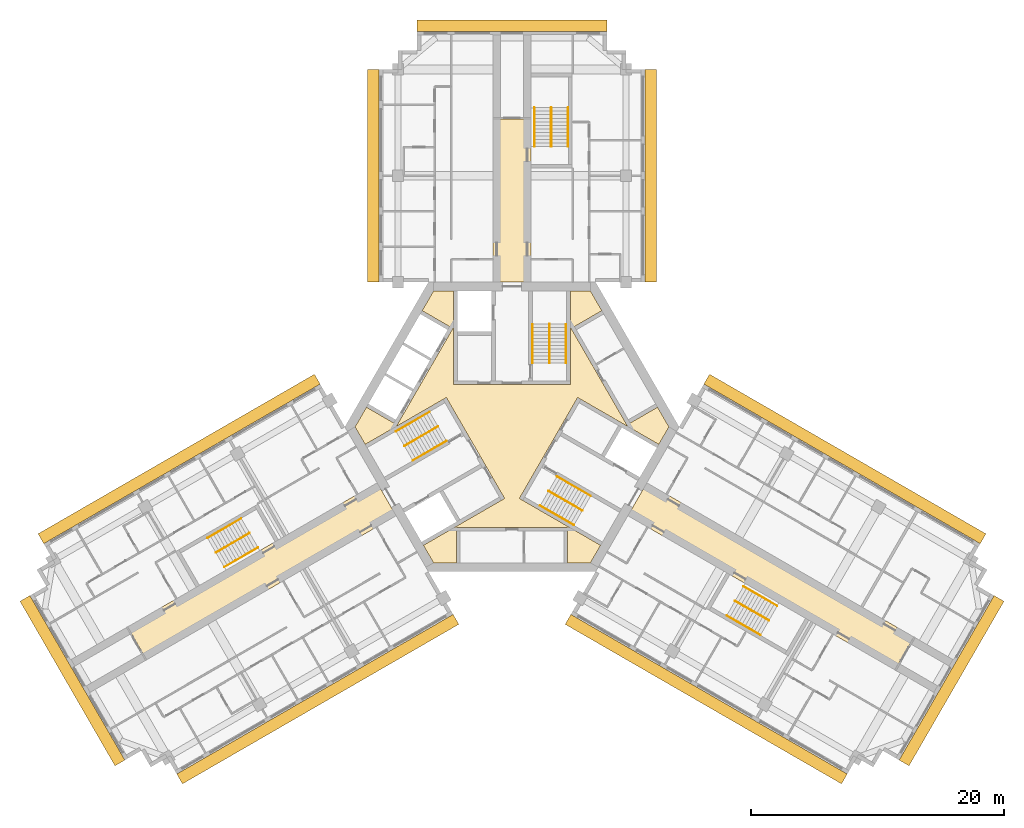
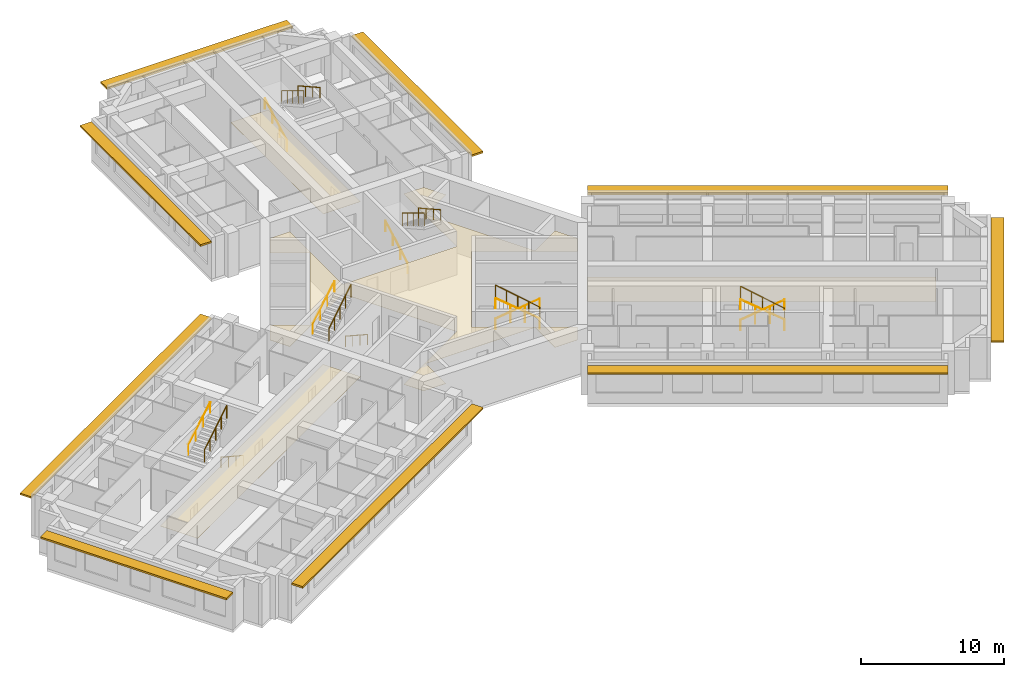
# One storey, part 12 of 12: 18 railings, 4 coverings, 3 shading devices.
"""IFC4 building model written with IfcOpenShell, lengths in metres."""

import ifcopenshell
import ifcopenshell.guid

model = None  # the IFC model being written
_history = None  # IfcOwnerHistory: only IFC2X3 demands one
_inside = {}  # id of a spatial element -> (the spatial element, [elements in it])
_under = {}  # id of a project, library or spatial element -> (it, [spatial elements below it])
_declared = {}  # id of a project -> (the project, [libraries it declares])
_typed = {}  # id of a type object -> (the type object, [elements of that type])
_made_of = {}  # id of a material, layer set ... -> (it, [elements and type objects made of it])


def new_model(schema):
    """Start an empty IFC model of exactly this schema.

    Asked for "IFC4X3", IfcOpenShell would pick the latest addendum, in which some entities
    have other attributes; the version numbers below select the first issue.
    IFC2X3 requires an IfcOwnerHistory on every rooted entity: one is made here for all.
    """
    global model, _history
    if schema == "IFC4X3":
        model = ifcopenshell.file(schema_version=(4, 3, 0, 0))
    else:
        model = ifcopenshell.file(schema=schema)
    _inside.clear()
    _under.clear()
    _declared.clear()
    _typed.clear()
    _made_of.clear()
    _history = None
    if model.schema == "IFC2X3":
        org = make("IfcOrganization", Name="unknown")
        user = make(
            "IfcPersonAndOrganization",
            ThePerson=make("IfcPerson", FamilyName="unknown"),
            TheOrganization=org,
        )
        app = make(
            "IfcApplication",
            ApplicationDeveloper=org,
            Version="unknown",
            ApplicationFullName="unknown",
            ApplicationIdentifier="unknown",
        )
        _history = make(
            "IfcOwnerHistory",
            OwningUser=user,
            OwningApplication=app,
            ChangeAction="ADDED",
            CreationDate=0,
        )
    return model


def make(cls, **values):
    """One entity of the class cls with the attributes given. An attribute that is None is left unset."""
    return model.create_entity(
        cls, **{name: value for name, value in values.items() if value is not None}
    )


def rooted(cls, **values):
    """An entity with a GlobalId (a new one), such as an element, a storey or a relation."""
    return make(cls, GlobalId=ifcopenshell.guid.new(), OwnerHistory=_history, **values)


def si_unit(unit_type, name, prefix=None):
    """IfcSIUnit, for example si_unit("LENGTHUNIT", "METRE", prefix="MILLI")."""
    return make("IfcSIUnit", UnitType=unit_type, Prefix=prefix, Name=name)


def assignment(units):
    """IfcUnitAssignment: the units of a project."""
    return None if units is None else make("IfcUnitAssignment", Units=units)


def point(xyz):
    """IfcCartesianPoint."""
    return None if xyz is None else make("IfcCartesianPoint", Coordinates=xyz)


def direction(xyz):
    """IfcDirection."""
    return None if xyz is None else make("IfcDirection", DirectionRatios=xyz)


def frame(location, z_axis=None, x_axis=None):
    """IfcAxis2Placement3D, a coordinate frame: its origin and axes. An axis left out is left unset."""
    return make(
        "IfcAxis2Placement3D",
        Location=point(location),
        Axis=direction(z_axis),
        RefDirection=direction(x_axis),
    )


def frame_2d(location, x_axis=None):
    """IfcAxis2Placement2D, a coordinate frame in the plane: its origin and x axis."""
    return make(
        "IfcAxis2Placement2D", Location=point(location), RefDirection=direction(x_axis)
    )


def origin():
    """The frame at (0, 0, 0) with its axes left unset."""
    return frame((0.0, 0.0, 0.0))


def origin_2d():
    """The frame at (0, 0) in the plane with its x axis left unset."""
    return frame_2d((0.0, 0.0))


def place(relative_to, where):
    """IfcLocalPlacement: puts the frame where relative to a parent placement (None: the world)."""
    return make(
        "IfcLocalPlacement", PlacementRelTo=relative_to, RelativePlacement=where
    )


def context(
    kind, dimensions, precision=None, world=None, true_north=None, identifier=None
):
    """IfcGeometricRepresentationContext, for example the 3D "Model" context."""
    return make(
        "IfcGeometricRepresentationContext",
        ContextIdentifier=identifier,
        ContextType=kind,
        CoordinateSpaceDimension=dimensions,
        Precision=precision,
        WorldCoordinateSystem=world,
        TrueNorth=true_north,
    )


def subcontext(parent, identifier, kind, view, scale=None):
    """IfcGeometricRepresentationSubContext, for example "Body" below "Model"."""
    return make(
        "IfcGeometricRepresentationSubContext",
        ContextIdentifier=identifier,
        ContextType=kind,
        ParentContext=parent,
        TargetScale=scale,
        TargetView=view,
    )


def project(units=None, contexts=None):
    """IfcProject with its units and contexts."""
    return rooted(
        "IfcProject",
        Name="project",
        RepresentationContexts=contexts,
        UnitsInContext=assignment(units),
    )


def spatial(cls, under=None, at=None, **own):
    """A site, building, storey or space (cls), placed at a placement, below another one or the project."""
    s = rooted(cls, ObjectPlacement=at, **own)
    if under is not None:
        _under.setdefault(under.id(), (under, []))[1].append(s)
    return s


def polyline(points):
    """IfcPolyline through the points."""
    return make("IfcPolyline", Points=[point(p) for p in points])


def profile(cls, at=None, kind="AREA", **sizes):
    """A parametric profile (cls). Its sizes go by their IFC names, for example OverallWidth=200.0."""
    return make(cls, ProfileType=kind, Position=at, **sizes)


def rectangle(**sizes):
    """IfcRectangleProfileDef."""
    return profile("IfcRectangleProfileDef", **sizes)


def circle(**sizes):
    """IfcCircleProfileDef."""
    return profile("IfcCircleProfileDef", **sizes)


def outline(outer, holes=None, kind="AREA"):
    """IfcArbitraryClosedProfileDef: a profile drawn as a closed curve; with holes, ...WithVoids."""
    if holes is None:
        return make("IfcArbitraryClosedProfileDef", ProfileType=kind, OuterCurve=outer)
    return make(
        "IfcArbitraryProfileDefWithVoids",
        ProfileType=kind,
        OuterCurve=outer,
        InnerCurves=holes,
    )


def extrude(swept, where, along, depth):
    """IfcExtrudedAreaSolid: the profile swept, set in the frame where, extruded along a direction by depth."""
    return make(
        "IfcExtrudedAreaSolid",
        SweptArea=swept,
        Position=where,
        ExtrudedDirection=direction(along),
        Depth=depth,
    )


def shape(context_of_items, identifier, shape_type, items):
    """IfcShapeRepresentation: the items that make up one representation, for example the "Body"."""
    return make(
        "IfcShapeRepresentation",
        ContextOfItems=context_of_items,
        RepresentationIdentifier=identifier,
        RepresentationType=shape_type,
        Items=items,
    )


def material(Name=None, Category=None):
    """IfcMaterial."""
    return make("IfcMaterial", Name=Name, Category=Category)


def layer(
    of_material, thickness, ventilated=None, Name=None, Category=None, Priority=None
):
    """IfcMaterialLayer: one layer of a wall or slab, of a material (None: an air gap)."""
    return make(
        "IfcMaterialLayer",
        Material=of_material,
        LayerThickness=thickness,
        IsVentilated=ventilated,
        Name=Name,
        Category=Category,
        Priority=Priority,
    )


def layer_set(layers, Name=None):
    """IfcMaterialLayerSet."""
    return make("IfcMaterialLayerSet", MaterialLayers=layers, LayerSetName=Name)


def made_of(thing, what):
    """Note that an element or type object is made of a material, layer set ...; save() writes the relation."""
    if what is not None:
        _made_of.setdefault(what.id(), (what, []))[1].append(thing)
    return thing


def type_object(cls, material=None, **own):
    """A type object (cls), such as IfcWallType, which elements share."""
    return made_of(rooted(cls, **own), material)


def element(
    cls,
    number,
    at=None,
    inside=None,
    cuts=None,
    type_object=None,
    material=None,
    context=None,
    identifier="Body",
    shape_type=None,
    held_by="IfcProductDefinitionShape",
    body=None,
    shapes=None,
    **own,
):
    """One element of the class cls, such as IfcWall. Its Tag is "e" and its number.

    at: its placement. inside: the storey or other place that contains it. cuts: it is an
    opening in that element (IfcRelVoidsElement). A single representation is given by context,
    identifier, shape_type and body (its items); several are given by shapes. held_by: the class
    of the entity that holds the representations. save() writes the other relations.
    """
    e = rooted(cls, Tag="e%d" % number, ObjectPlacement=at, **own)
    if body is not None:
        shapes = [shape(context, identifier, shape_type, body)]
    if shapes is not None:
        e.Representation = make(held_by, Representations=shapes)
    if inside is not None:
        _inside.setdefault(inside.id(), (inside, []))[1].append(e)
    if cuts is not None:
        rooted(
            "IfcRelVoidsElement", RelatingBuildingElement=cuts, RelatedOpeningElement=e
        )
    if type_object is not None:
        _typed.setdefault(type_object.id(), (type_object, []))[1].append(e)
    return made_of(e, material)


def aggregate(whole, parts):
    """IfcRelAggregates: a whole, such as a stair, and the parts it consists of."""
    return rooted("IfcRelAggregates", RelatingObject=whole, RelatedObjects=parts)


def save(model, path):
    """Write the relations noted so far, then the file.

    IfcRelAggregates (storeys below a building ...), IfcRelContainedInSpatialStructure (elements
    in a storey), IfcRelDefinesByType, IfcRelAssociatesMaterial and IfcRelDeclares: one each for
    every whole, place, type object, material and project.
    """
    for whole, parts in _under.values():
        aggregate(whole, parts)
    for where, things in _inside.values():
        rooted(
            "IfcRelContainedInSpatialStructure",
            RelatedElements=things,
            RelatingStructure=where,
        )
    for kind, things in _typed.values():
        rooted("IfcRelDefinesByType", RelatedObjects=things, RelatingType=kind)
    for what, things in _made_of.values():
        rooted("IfcRelAssociatesMaterial", RelatedObjects=things, RelatingMaterial=what)
    for by, libraries in _declared.values():
        rooted("IfcRelDeclares", RelatingContext=by, RelatedDefinitions=libraries)
    model.write(path)


model = new_model("IFC4")

# Units and contexts
model_context = context("Model", 3, precision=1e-05, world=origin(), true_north=direction((0.0, 1.0)))
body_context = subcontext(model_context, "Body", "Model", "MODEL_VIEW")
ifc_project = project(units=[si_unit("LENGTHUNIT", "METRE"), si_unit("AREAUNIT", "SQUARE_METRE"), si_unit("VOLUMEUNIT", "CUBIC_METRE"), si_unit("PLANEANGLEUNIT", "RADIAN"), si_unit("MASSUNIT", "GRAM", prefix="KILO")], contexts=[model_context])

# Site, building, storey
site_placement = place(None, origin())
site = spatial("IfcSite", under=ifc_project, at=site_placement, CompositionType="ELEMENT")
building_placement = place(site_placement, origin())
building = spatial("IfcBuilding", under=site, at=building_placement, Name="Impinga Residences", CompositionType="ELEMENT")
storey_placement = place(building_placement, frame((0.0, 0.0, 211.0)))
storey = spatial("IfcBuildingStorey", under=building, at=storey_placement, Name="L52", CompositionType="ELEMENT", Elevation=211.0)

# Coverings
ifc_material_1 = material(Name="Plasterboard 15 mm on steel hangers", Category="steel")
ifc_layer_1 = layer(ifc_material_1, 0.014892578125)
ifc_layer_set_1 = layer_set([ifc_layer_1], Name="Plasterboard 15 mm on steel hangers")
covering_type_1 = type_object("IfcCoveringType", Name="CL1 corridor ceiling, 15 mm plasterboard on hangers", PredefinedType="CEILING", material=ifc_layer_set_1)
covering_1_placement = place(storey_placement, frame((0.0, 0.0, 2.39990234375)))
element("IfcCovering", 1, at=covering_1_placement, inside=storey, type_object=covering_type_1, Name="Corridor ceiling CL1 L52-N00", PredefinedType="CEILING", context=body_context, shape_type="SweptSolid", body=[
    extrude(outline(polyline([(-1.5, 11.431640625), (1.5, 11.431640625), (1.5, 24.33154296875), (-1.5, 24.33154296875), (-1.5, 11.431640625)])), origin(), (0.0, 0.0, 1.0), 0.01513671875),
])
covering_2_placement = place(storey_placement, frame((0.0, 0.0, 2.39990234375)))
element("IfcCovering", 2, at=covering_2_placement, inside=storey, type_object=covering_type_1, Name="Corridor ceiling CL1 L52-W00", PredefinedType="CEILING", context=body_context, shape_type="SweptSolid", body=[
    extrude(outline(polyline([(-9.14990234375, -7.014892578125), (-10.64990234375, -4.416748046875), (-30.35205078125, -15.791748046875), (-28.85205078125, -18.389892578125), (-9.14990234375, -7.014892578125)])), origin(), (0.0, 0.0, 1.0), 0.01513671875),
])
covering_3_placement = place(storey_placement, frame((0.0, 0.0, 2.39990234375)))
element("IfcCovering", 3, at=covering_3_placement, inside=storey, type_object=covering_type_1, Name="Corridor ceiling CL1 L52-E00", PredefinedType="CEILING", context=body_context, shape_type="SweptSolid", body=[
    extrude(outline(polyline([(10.64990234375, -4.416748046875), (9.14990234375, -7.014892578125), (30.23779296875, -19.189697265625), (31.73779296875, -16.591796875), (10.64990234375, -4.416748046875)])), origin(), (0.0, 0.0, 1.0), 0.01513671875),
])
ifc_material_2 = material(Name="Mineral fibre tiles 20 mm on exposed grid", Category="mineral fibre")
ifc_layer_2 = layer(ifc_material_2, 0.02001953125)
ifc_layer_set_2 = layer_set([ifc_layer_2], Name="CL2 lift lobby ceiling, 20 mm mineral fibre tiles")
covering_type_2 = type_object("IfcCoveringType", Name="CL2 lift lobby ceiling, 20 mm mineral fibre tiles", PredefinedType="CEILING", material=ifc_layer_set_2)
covering_4_placement = place(storey_placement, frame((0.0, 0.0, 2.39990234375)))
element("IfcCovering", 4, at=covering_4_placement, inside=storey, type_object=covering_type_2, Name="Lift lobby ceiling CL2 L52-C01", PredefinedType="CEILING", context=body_context, shape_type="SweptSolid", body=[
    extrude(outline(polyline([(12.3916015625, 0.0), (11.59375, -1.382080078125), (5.183837890625, 2.318603515625), (0.583984375, -5.648681640625), (6.993896484375, -9.349365234375), (6.19580078125, -10.7314453125), (4.39990234375, -10.7314453125), (4.39990234375, -7.931640625), (-4.39990234375, -7.931640625), (-4.39990234375, -10.7314453125), (-6.19580078125, -10.7314453125), (-6.993896484375, -9.349365234375), (-0.583984375, -5.648681640625), (-5.183837890625, 2.318603515625), (-11.59375, -1.382080078125), (-12.3916015625, 0.0), (-11.493896484375, 1.55517578125), (-9.06884765625, 0.1552734375), (-4.6689453125, 7.7763671875), (-7.09375, 9.17626953125), (-6.19580078125, 10.7314453125), (-4.60009765625, 10.7314453125), (-4.60009765625, 3.330078125), (4.60009765625, 3.330078125), (4.60009765625, 10.7314453125), (6.19580078125, 10.7314453125), (7.09375, 9.17626953125), (4.6689453125, 7.7763671875), (9.06884765625, 0.1552734375), (11.493896484375, 1.55517578125), (12.3916015625, 0.0)])), origin(), (0.0, 0.0, 1.0), 0.02001953125),
])

# Railings
ifc_material_3 = material(Name="Steel guard, powder coated", Category="steel")
railing_type_1 = type_object("IfcRailingType", Name="GR1 stair guard 1100", PredefinedType="GUARDRAIL", material=ifc_material_3)
railing_1_placement = place(storey_placement, frame((2.949951171875, 8.110107421875, 1.875)))
element("IfcRailing", 5, at=railing_1_placement, inside=storey, type_object=railing_type_1, Name="Stair guard GR1 ST1 L52", PredefinedType="GUARDRAIL", context=body_context, shape_type="SweptSolid", body=[
    extrude(circle(Radius=0.02392578125, at=origin_2d()), frame((0.0, 0.0, 1.076171875), z_axis=(0.0, -0.854177636135, 0.519981313056), x_axis=(1.0, 0.0, 0.0)), (0.0, 0.0, 1.0), 3.60595703125),
    extrude(circle(Radius=0.02099609375, at=origin_2d()), origin(), (0.0, 0.0, 1.0), 1.052001953125),
    extrude(circle(Radius=0.02099609375, at=origin_2d()), frame((0.0, -0.77001953125, 0.46875)), (0.0, 0.0, 1.0), 1.052001953125),
    extrude(circle(Radius=0.02099609375, at=origin_2d()), frame((0.0, -1.5400390625, 0.9375)), (0.0, 0.0, 1.0), 1.052001953125),
    extrude(circle(Radius=0.02099609375, at=origin_2d()), frame((0.0, -2.31005859375, 1.40625)), (0.0, 0.0, 1.0), 1.052001953125),
    extrude(circle(Radius=0.02099609375, at=origin_2d()), frame((0.0, -3.080078125, 1.875)), (0.0, 0.0, 1.0), 1.052001953125),
])
railing_2_placement = place(storey_placement, frame((-8.49853515625, -1.500244140625, 1.875)))
element("IfcRailing", 6, at=railing_2_placement, inside=storey, type_object=railing_type_1, Name="Stair guard GR1 ST2 L52", PredefinedType="GUARDRAIL", context=body_context, shape_type="SweptSolid", body=[
    extrude(circle(Radius=0.02392578125, at=origin_2d()), frame((0.0, 0.0, 1.076171875), z_axis=(0.739746383972, 0.427084037168, 0.519975492303), x_axis=(-0.499992328818, 0.866029832698, 0.0)), (0.0, 0.0, 1.0), 3.60595703125),
    extrude(circle(Radius=0.02099609375, at=origin_2d()), origin(), (0.0, 0.0, 1.0), 1.052001953125),
    extrude(circle(Radius=0.02099609375, at=origin_2d()), frame((0.6669921875, 0.385009765625, 0.46875)), (0.0, 0.0, 1.0), 1.052001953125),
    extrude(circle(Radius=0.02099609375, at=origin_2d()), frame((1.333740234375, 0.77001953125, 0.9375)), (0.0, 0.0, 1.0), 1.052001953125),
    extrude(circle(Radius=0.02099609375, at=origin_2d()), frame((2.00048828125, 1.155029296875, 1.40625)), (0.0, 0.0, 1.0), 1.052001953125),
    extrude(circle(Radius=0.02099609375, at=origin_2d()), frame((2.66748046875, 1.5400390625, 1.875)), (0.0, 0.0, 1.0), 1.052001953125),
])
railing_3_placement = place(storey_placement, frame((5.548583984375, -6.60986328125, 1.875)))
element("IfcRailing", 7, at=railing_3_placement, inside=storey, type_object=railing_type_1, Name="Stair guard GR1 ST3 L52", PredefinedType="GUARDRAIL", context=body_context, shape_type="SweptSolid", body=[
    extrude(circle(Radius=0.02392578125, at=origin_2d()), frame((0.0, 0.0, 1.076171875), z_axis=(-0.739746383972, 0.427084037168, 0.519975492303), x_axis=(-0.499992328818, -0.866029832698, 0.0)), (0.0, 0.0, 1.0), 3.60595703125),
    extrude(circle(Radius=0.02099609375, at=origin_2d()), origin(), (0.0, 0.0, 1.0), 1.052001953125),
    extrude(circle(Radius=0.02099609375, at=origin_2d()), frame((-0.6669921875, 0.385009765625, 0.46875)), (0.0, 0.0, 1.0), 1.052001953125),
    extrude(circle(Radius=0.02099609375, at=origin_2d()), frame((-1.333740234375, 0.77001953125, 0.9375)), (0.0, 0.0, 1.0), 1.052001953125),
    extrude(circle(Radius=0.02099609375, at=origin_2d()), frame((-2.00048828125, 1.155029296875, 1.40625)), (0.0, 0.0, 1.0), 1.052001953125),
    extrude(circle(Radius=0.02099609375, at=origin_2d()), frame((-2.66748046875, 1.5400390625, 1.875)), (0.0, 0.0, 1.0), 1.052001953125),
])
railing_4_placement = place(storey_placement, frame((3.10009765625, 25.21142578125, 1.875)))
element("IfcRailing", 8, at=railing_4_placement, inside=storey, type_object=railing_type_1, Name="Stair guard GR1 WS1 L52", PredefinedType="GUARDRAIL", context=body_context, shape_type="SweptSolid", body=[
    extrude(circle(Radius=0.02392578125, at=origin_2d()), frame((0.0, 0.0, 1.076171875), z_axis=(0.0, -0.854159328187, 0.520011386482), x_axis=(1.0, 0.0, 0.0)), (0.0, 0.0, 1.0), 3.605712890625),
    extrude(circle(Radius=0.02099609375, at=origin_2d()), origin(), (0.0, 0.0, 1.0), 1.052001953125),
    extrude(circle(Radius=0.02099609375, at=origin_2d()), frame((0.0, -0.77001953125, 0.46875)), (0.0, 0.0, 1.0), 1.052001953125),
    extrude(circle(Radius=0.02099609375, at=origin_2d()), frame((0.0, -1.5400390625, 0.9375)), (0.0, 0.0, 1.0), 1.052001953125),
    extrude(circle(Radius=0.02099609375, at=origin_2d()), frame((0.0, -2.309814453125, 1.40625)), (0.0, 0.0, 1.0), 1.052001953125),
    extrude(circle(Radius=0.02099609375, at=origin_2d()), frame((0.0, -3.079833984375, 1.875)), (0.0, 0.0, 1.0), 1.052001953125),
])
railing_5_placement = place(storey_placement, frame((-23.3837890625, -9.921142578125, 1.875)))
element("IfcRailing", 9, at=railing_5_placement, inside=storey, type_object=railing_type_1, Name="Stair guard GR1 WS2 L52", PredefinedType="GUARDRAIL", context=body_context, shape_type="SweptSolid", body=[
    extrude(circle(Radius=0.02392578125, at=origin_2d()), frame((0.0, 0.0, 1.076171875), z_axis=(0.739715726454, 0.427105428144, 0.52000153585), x_axis=(-0.500026652407, 0.866010015463, 0.0)), (0.0, 0.0, 1.0), 3.605712890625),
    extrude(circle(Radius=0.02099609375, at=origin_2d()), origin(), (0.0, 0.0, 1.0), 1.052001953125),
    extrude(circle(Radius=0.02099609375, at=origin_2d()), frame((0.666748046875, 0.385009765625, 0.46875)), (0.0, 0.0, 1.0), 1.052001953125),
    extrude(circle(Radius=0.02099609375, at=origin_2d()), frame((1.33349609375, 0.77001953125, 0.9375)), (0.0, 0.0, 1.0), 1.052001953125),
    extrude(circle(Radius=0.02099609375, at=origin_2d()), frame((2.00048828125, 1.155029296875, 1.40625)), (0.0, 0.0, 1.0), 1.052001953125),
    extrude(circle(Radius=0.02099609375, at=origin_2d()), frame((2.667236328125, 1.5400390625, 1.875)), (0.0, 0.0, 1.0), 1.052001953125),
])
railing_6_placement = place(storey_placement, frame((20.283935546875, -15.29052734375, 1.875)))
element("IfcRailing", 10, at=railing_6_placement, inside=storey, type_object=railing_type_1, Name="Stair guard GR1 WS3 L52", PredefinedType="GUARDRAIL", context=body_context, shape_type="SweptSolid", body=[
    extrude(circle(Radius=0.02392578125, at=origin_2d()), frame((0.0, 0.0, 1.076171875), z_axis=(-0.739746383972, 0.427084037168, 0.519975492303), x_axis=(-0.499992328818, -0.866029832698, 0.0)), (0.0, 0.0, 1.0), 3.60595703125),
    extrude(circle(Radius=0.02099609375, at=origin_2d()), origin(), (0.0, 0.0, 1.0), 1.052001953125),
    extrude(circle(Radius=0.02099609375, at=origin_2d()), frame((-0.6669921875, 0.385009765625, 0.46875)), (0.0, 0.0, 1.0), 1.052001953125),
    extrude(circle(Radius=0.02099609375, at=origin_2d()), frame((-1.333740234375, 0.77001953125, 0.9375)), (0.0, 0.0, 1.0), 1.052001953125),
    extrude(circle(Radius=0.02099609375, at=origin_2d()), frame((-2.00048828125, 1.155029296875, 1.40625)), (0.0, 0.0, 1.0), 1.052001953125),
    extrude(circle(Radius=0.02099609375, at=origin_2d()), frame((-2.66748046875, 1.5400390625, 1.875)), (0.0, 0.0, 1.0), 1.052001953125),
])
ifc_material_4 = material(Name="Steel handrail tube 42 mm, powder coated", Category="steel")
railing_type_2 = type_object("IfcRailingType", Name="HR1 stair handrail, 42 mm steel tube, 900 above the pitch line", PredefinedType="HANDRAIL", material=ifc_material_4)
railing_7_placement = place(storey_placement, frame((1.62109375, 5.030029296875, 0.15625)))
element("IfcRailing", 11, at=railing_7_placement, inside=storey, type_object=railing_type_2, Name="Stair handrail HR1 ST1 L52", PredefinedType="HANDRAIL", context=body_context, shape_type="SweptSolid", body=[
    extrude(circle(Radius=0.02099609375, at=origin_2d()), frame((0.0, 0.0, 0.87890625), z_axis=(0.0, 0.873241540666, 0.487287606713), x_axis=(-1.0, 0.0, 0.0)), (0.0, 0.0, 1.0), 3.527099609375),
    extrude(circle(Radius=0.012451171875, at=origin_2d()), origin(), (0.0, 0.0, 1.0), 0.85791015625),
    extrude(circle(Radius=0.012451171875, at=origin_2d()), frame((0.0, 1.026611328125, 0.572998046875)), (0.0, 0.0, 1.0), 0.85791015625),
    extrude(circle(Radius=0.012451171875, at=origin_2d()), frame((0.0, 2.053466796875, 1.145751953125)), (0.0, 0.0, 1.0), 0.85791015625),
    extrude(circle(Radius=0.012451171875, at=origin_2d()), frame((0.0, 3.080078125, 1.71875)), (0.0, 0.0, 1.0), 0.85791015625),
])
railing_8_placement = place(storey_placement, frame((4.279052734375, 8.110107421875, 2.03125)))
element("IfcRailing", 12, at=railing_8_placement, inside=storey, type_object=railing_type_2, Name="Stair handrail HR1 ST1 L52", PredefinedType="HANDRAIL", context=body_context, shape_type="SweptSolid", body=[
    extrude(circle(Radius=0.02099609375, at=origin_2d()), frame((0.0, 0.0, 0.87890625), z_axis=(0.0, -0.873241540666, 0.487287606713), x_axis=(1.0, 0.0, 0.0)), (0.0, 0.0, 1.0), 3.527099609375),
    extrude(circle(Radius=0.012451171875, at=origin_2d()), origin(), (0.0, 0.0, 1.0), 0.85791015625),
    extrude(circle(Radius=0.012451171875, at=origin_2d()), frame((0.0, -1.026611328125, 0.572998046875)), (0.0, 0.0, 1.0), 0.85791015625),
    extrude(circle(Radius=0.012451171875, at=origin_2d()), frame((0.0, -2.053466796875, 1.145751953125)), (0.0, 0.0, 1.0), 0.85791015625),
    extrude(circle(Radius=0.012451171875, at=origin_2d()), frame((0.0, -3.080078125, 1.71875)), (0.0, 0.0, 1.0), 0.85791015625),
])
railing_9_placement = place(storey_placement, frame((-5.16650390625, -1.111083984375, 0.15625)))
element("IfcRailing", 13, at=railing_9_placement, inside=storey, type_object=railing_type_2, Name="Stair handrail HR1 ST2 L52", PredefinedType="HANDRAIL", context=body_context, shape_type="SweptSolid", body=[
    extrude(circle(Radius=0.02099609375, at=origin_2d()), frame((0.0, 0.0, 0.87890625), z_axis=(-0.756255980417, -0.436615662133, 0.487281905742), x_axis=(0.499992328818, -0.866029832698, 0.0)), (0.0, 0.0, 1.0), 3.527099609375),
    extrude(circle(Radius=0.012451171875, at=origin_2d()), origin(), (0.0, 0.0, 1.0), 0.85791015625),
    extrude(circle(Radius=0.012451171875, at=origin_2d()), frame((-0.88916015625, -0.513427734375, 0.572998046875)), (0.0, 0.0, 1.0), 0.85791015625),
    extrude(circle(Radius=0.012451171875, at=origin_2d()), frame((-1.7783203125, -1.026611328125, 1.145751953125)), (0.0, 0.0, 1.0), 0.85791015625),
    extrude(circle(Radius=0.012451171875, at=origin_2d()), frame((-2.66748046875, -1.5400390625, 1.71875)), (0.0, 0.0, 1.0), 0.85791015625),
])
railing_10_placement = place(storey_placement, frame((-9.1630859375, -0.349365234375, 2.03125)))
element("IfcRailing", 14, at=railing_10_placement, inside=storey, type_object=railing_type_2, Name="Stair handrail HR1 ST2 L52", PredefinedType="HANDRAIL", context=body_context, shape_type="SweptSolid", body=[
    extrude(circle(Radius=0.02099609375, at=origin_2d()), frame((0.0, 0.0, 0.87890625), z_axis=(0.756255980417, 0.436615662133, 0.487281905742), x_axis=(-0.499992328818, 0.866029832698, 0.0)), (0.0, 0.0, 1.0), 3.527099609375),
    extrude(circle(Radius=0.012451171875, at=origin_2d()), origin(), (0.0, 0.0, 1.0), 0.85791015625),
    extrude(circle(Radius=0.012451171875, at=origin_2d()), frame((0.88916015625, 0.513427734375, 0.572998046875)), (0.0, 0.0, 1.0), 0.85791015625),
    extrude(circle(Radius=0.012451171875, at=origin_2d()), frame((1.7783203125, 1.026611328125, 1.145751953125)), (0.0, 0.0, 1.0), 0.85791015625),
    extrude(circle(Radius=0.012451171875, at=origin_2d()), frame((2.66748046875, 1.5400390625, 1.71875)), (0.0, 0.0, 1.0), 0.85791015625),
])
railing_11_placement = place(storey_placement, frame((3.545654296875, -3.9189453125, 0.15625)))
element("IfcRailing", 15, at=railing_11_placement, inside=storey, type_object=railing_type_2, Name="Stair handrail HR1 ST3 L52", PredefinedType="HANDRAIL", context=body_context, shape_type="SweptSolid", body=[
    extrude(circle(Radius=0.02099609375, at=origin_2d()), frame((0.0, 0.0, 0.87890625), z_axis=(0.756249203677, -0.436582492228, 0.487322141317), x_axis=(0.499967199496, 0.866044340336, 0.0)), (0.0, 0.0, 1.0), 3.52685546875),
    extrude(circle(Radius=0.012451171875, at=origin_2d()), origin(), (0.0, 0.0, 1.0), 0.85791015625),
    extrude(circle(Radius=0.012451171875, at=origin_2d()), frame((0.88916015625, -0.51318359375, 0.572998046875)), (0.0, 0.0, 1.0), 0.85791015625),
    extrude(circle(Radius=0.012451171875, at=origin_2d()), frame((1.778076171875, -1.026611328125, 1.145751953125)), (0.0, 0.0, 1.0), 0.85791015625),
    extrude(circle(Radius=0.012451171875, at=origin_2d()), frame((2.667236328125, -1.539794921875, 1.71875)), (0.0, 0.0, 1.0), 0.85791015625),
])
railing_12_placement = place(storey_placement, frame((4.884033203125, -7.7607421875, 2.03125)))
element("IfcRailing", 16, at=railing_12_placement, inside=storey, type_object=railing_type_2, Name="Stair handrail HR1 ST3 L52", PredefinedType="HANDRAIL", context=body_context, shape_type="SweptSolid", body=[
    extrude(circle(Radius=0.02099609375, at=origin_2d()), frame((0.0, 0.0, 0.87890625), z_axis=(-0.756255980417, 0.436615662133, 0.487281905742), x_axis=(-0.499992328818, -0.866029832698, 0.0)), (0.0, 0.0, 1.0), 3.527099609375),
    extrude(circle(Radius=0.012451171875, at=origin_2d()), origin(), (0.0, 0.0, 1.0), 0.85791015625),
    extrude(circle(Radius=0.012451171875, at=origin_2d()), frame((-0.88916015625, 0.513427734375, 0.572998046875)), (0.0, 0.0, 1.0), 0.85791015625),
    extrude(circle(Radius=0.012451171875, at=origin_2d()), frame((-1.7783203125, 1.026611328125, 1.145751953125)), (0.0, 0.0, 1.0), 0.85791015625),
    extrude(circle(Radius=0.012451171875, at=origin_2d()), frame((-2.66748046875, 1.5400390625, 1.71875)), (0.0, 0.0, 1.0), 0.85791015625),
])
railing_13_placement = place(storey_placement, frame((1.77099609375, 22.131591796875, 0.15625)))
element("IfcRailing", 17, at=railing_13_placement, inside=storey, type_object=railing_type_2, Name="Stair handrail HR1 WS1 L52", PredefinedType="HANDRAIL", context=body_context, shape_type="SweptSolid", body=[
    extrude(circle(Radius=0.02099609375, at=origin_2d()), frame((0.0, 0.0, 0.87890625), z_axis=(0.0, 0.873225103656, 0.487317061414), x_axis=(-1.0, 0.0, 0.0)), (0.0, 0.0, 1.0), 3.52685546875),
    extrude(circle(Radius=0.012451171875, at=origin_2d()), origin(), (0.0, 0.0, 1.0), 0.85791015625),
    extrude(circle(Radius=0.012451171875, at=origin_2d()), frame((0.0, 1.026611328125, 0.572998046875)), (0.0, 0.0, 1.0), 0.85791015625),
    extrude(circle(Radius=0.012451171875, at=origin_2d()), frame((0.0, 2.05322265625, 1.145751953125)), (0.0, 0.0, 1.0), 0.85791015625),
    extrude(circle(Radius=0.012451171875, at=origin_2d()), frame((0.0, 3.079833984375, 1.71875)), (0.0, 0.0, 1.0), 0.85791015625),
])
railing_14_placement = place(storey_placement, frame((4.428955078125, 25.21142578125, 2.03125)))
element("IfcRailing", 18, at=railing_14_placement, inside=storey, type_object=railing_type_2, Name="Stair handrail HR1 WS1 L52", PredefinedType="HANDRAIL", context=body_context, shape_type="SweptSolid", body=[
    extrude(circle(Radius=0.02099609375, at=origin_2d()), frame((0.0, 0.0, 0.87890625), z_axis=(0.0, -0.873225103656, 0.487317061414), x_axis=(1.0, 0.0, 0.0)), (0.0, 0.0, 1.0), 3.52685546875),
    extrude(circle(Radius=0.012451171875, at=origin_2d()), origin(), (0.0, 0.0, 1.0), 0.85791015625),
    extrude(circle(Radius=0.012451171875, at=origin_2d()), frame((0.0, -1.026611328125, 0.572998046875)), (0.0, 0.0, 1.0), 0.85791015625),
    extrude(circle(Radius=0.012451171875, at=origin_2d()), frame((0.0, -2.05322265625, 1.145751953125)), (0.0, 0.0, 1.0), 0.85791015625),
    extrude(circle(Radius=0.012451171875, at=origin_2d()), frame((0.0, -3.079833984375, 1.71875)), (0.0, 0.0, 1.0), 0.85791015625),
])
railing_15_placement = place(storey_placement, frame((-20.052001953125, -9.531982421875, 0.15625)))
element("IfcRailing", 19, at=railing_15_placement, inside=storey, type_object=railing_type_2, Name="Stair handrail HR1 WS2 L52", PredefinedType="HANDRAIL", context=body_context, shape_type="SweptSolid", body=[
    extrude(circle(Radius=0.02099609375, at=origin_2d()), frame((0.0, 0.0, 0.87890625), z_axis=(-0.756226348243, -0.436638517594, 0.487307413422), x_axis=(0.500026652407, -0.866010015463, 0.0)), (0.0, 0.0, 1.0), 3.527099609375),
    extrude(circle(Radius=0.012451171875, at=origin_2d()), origin(), (0.0, 0.0, 1.0), 0.85791015625),
    extrude(circle(Radius=0.012451171875, at=origin_2d()), frame((-0.88916015625, -0.513427734375, 0.572998046875)), (0.0, 0.0, 1.0), 0.85791015625),
    extrude(circle(Radius=0.012451171875, at=origin_2d()), frame((-1.778076171875, -1.026611328125, 1.145751953125)), (0.0, 0.0, 1.0), 0.85791015625),
    extrude(circle(Radius=0.012451171875, at=origin_2d()), frame((-2.667236328125, -1.5400390625, 1.71875)), (0.0, 0.0, 1.0), 0.85791015625),
])
railing_16_placement = place(storey_placement, frame((-24.04833984375, -8.77001953125, 2.03125)))
element("IfcRailing", 20, at=railing_16_placement, inside=storey, type_object=railing_type_2, Name="Stair handrail HR1 WS2 L52", PredefinedType="HANDRAIL", context=body_context, shape_type="SweptSolid", body=[
    extrude(circle(Radius=0.02099609375, at=origin_2d()), frame((0.0, 0.0, 0.87890625), z_axis=(0.756278834354, 0.436559638319, 0.487296631324), x_axis=(-0.499932877268, 0.866064153644, 0.0)), (0.0, 0.0, 1.0), 3.527099609375),
    extrude(circle(Radius=0.012451171875, at=origin_2d()), origin(), (0.0, 0.0, 1.0), 0.85791015625),
    extrude(circle(Radius=0.012451171875, at=origin_2d()), frame((0.88916015625, 0.51318359375, 0.572998046875)), (0.0, 0.0, 1.0), 0.85791015625),
    extrude(circle(Radius=0.012451171875, at=origin_2d()), frame((1.7783203125, 1.026611328125, 1.145751953125)), (0.0, 0.0, 1.0), 0.85791015625),
    extrude(circle(Radius=0.012451171875, at=origin_2d()), frame((2.66748046875, 1.539794921875, 1.71875)), (0.0, 0.0, 1.0), 0.85791015625),
])
railing_17_placement = place(storey_placement, frame((18.281005859375, -12.599609375, 0.15625)))
element("IfcRailing", 21, at=railing_17_placement, inside=storey, type_object=railing_type_2, Name="Stair handrail HR1 WS3 L52", PredefinedType="HANDRAIL", context=body_context, shape_type="SweptSolid", body=[
    extrude(circle(Radius=0.02099609375, at=origin_2d()), frame((0.0, 0.0, 0.87890625), z_axis=(0.756249203677, -0.436582492228, 0.487322141317), x_axis=(0.499967199496, 0.866044340336, 0.0)), (0.0, 0.0, 1.0), 3.52685546875),
    extrude(circle(Radius=0.012451171875, at=origin_2d()), origin(), (0.0, 0.0, 1.0), 0.85791015625),
    extrude(circle(Radius=0.012451171875, at=origin_2d()), frame((0.88916015625, -0.51318359375, 0.572998046875)), (0.0, 0.0, 1.0), 0.85791015625),
    extrude(circle(Radius=0.012451171875, at=origin_2d()), frame((1.778076171875, -1.026611328125, 1.145751953125)), (0.0, 0.0, 1.0), 0.85791015625),
    extrude(circle(Radius=0.012451171875, at=origin_2d()), frame((2.667236328125, -1.539794921875, 1.71875)), (0.0, 0.0, 1.0), 0.85791015625),
])
railing_18_placement = place(storey_placement, frame((19.619384765625, -16.44140625, 2.03125)))
element("IfcRailing", 22, at=railing_18_placement, inside=storey, type_object=railing_type_2, Name="Stair handrail HR1 WS3 L52", PredefinedType="HANDRAIL", context=body_context, shape_type="SweptSolid", body=[
    extrude(circle(Radius=0.02099609375, at=origin_2d()), frame((0.0, 0.0, 0.87890625), z_axis=(-0.756255980417, 0.436615662133, 0.487281905742), x_axis=(-0.499992328818, -0.866029832698, 0.0)), (0.0, 0.0, 1.0), 3.527099609375),
    extrude(circle(Radius=0.012451171875, at=origin_2d()), origin(), (0.0, 0.0, 1.0), 0.85791015625),
    extrude(circle(Radius=0.012451171875, at=origin_2d()), frame((-0.88916015625, 0.513427734375, 0.572998046875)), (0.0, 0.0, 1.0), 0.85791015625),
    extrude(circle(Radius=0.012451171875, at=origin_2d()), frame((-1.7783203125, 1.026611328125, 1.145751953125)), (0.0, 0.0, 1.0), 0.85791015625),
    extrude(circle(Radius=0.012451171875, at=origin_2d()), frame((-2.66748046875, 1.5400390625, 1.71875)), (0.0, 0.0, 1.0), 0.85791015625),
])

# Shading devices
ifc_material_5 = material(Name="Terracotta sunshade blades on aluminium brackets", Category="masonry")
ifc_layer_3 = layer(ifc_material_5, 0.14990234375)
ifc_layer_set_3 = layer_set([ifc_layer_3], Name="SS1 SUNSHADE terracotta sunshade band 900")
shading_device_type = type_object("IfcShadingDeviceType", Name="SS1 SUNSHADE terracotta sunshade band 900", PredefinedType="USERDEFINED", material=ifc_layer_set_3)
shading_device_1_placement = place(storey_placement, frame((-10.949951171875, 19.83154296875, 3.10009765625), z_axis=(0.0, 0.0, 1.0), x_axis=(0.0, 1.0, 0.0)))
element("IfcShadingDevice", 23, at=shading_device_1_placement, inside=storey, type_object=shading_device_type, Name="SUNSHADE band L52 NORTH WING", ObjectType="SUNSHADE", PredefinedType="USERDEFINED", context=body_context, shape_type="SweptSolid", body=[
    extrude(rectangle(XDim=16.800048828125, YDim=0.89990234375, at=origin_2d()), origin(), (0.0, 0.0, 1.0), 0.14990234375),
    extrude(rectangle(XDim=15.0, YDim=0.89990234375, at=origin_2d()), frame((11.85009765625, -10.949951171875, 0.0), z_axis=(0.0, 0.0, 1.0), x_axis=(0.0, -1.0, 0.0)), (0.0, 0.0, 1.0), 0.14990234375),
    extrude(rectangle(XDim=16.800048828125, YDim=0.89990234375, at=origin_2d()), frame((0.0, -21.89990234375, 0.0), z_axis=(0.0, 0.0, 1.0), x_axis=(-1.0, 0.0, 0.0)), (0.0, 0.0, 1.0), 0.14990234375),
])
shading_device_2_placement = place(storey_placement, frame((-34.711669921875, -20.040771484375, 3.10009765625), z_axis=(0.0, 0.0, 1.0), x_axis=(-0.5, 0.866025403784, 0.0)))
element("IfcShadingDevice", 24, at=shading_device_2_placement, inside=storey, type_object=shading_device_type, Name="SUNSHADE band L52 WEST WING", ObjectType="SUNSHADE", PredefinedType="USERDEFINED", context=body_context, shape_type="SweptSolid", body=[
    extrude(rectangle(XDim=15.0, YDim=0.89990234375, at=origin_2d()), origin(), (0.0, 0.0, 1.0), 0.14990234375),
    extrude(rectangle(XDim=25.199951171875, YDim=0.89990234375, at=origin_2d()), frame((10.949951171875, -16.050048828125, 0.0), z_axis=(0.0, 0.0, 1.0), x_axis=(0.0, -1.0, 0.0)), (0.0, 0.0, 1.0), 0.14990234375),
    extrude(rectangle(XDim=25.199951171875, YDim=0.89990234375, at=origin_2d()), frame((-10.949951171875, -16.050048828125, 0.0), z_axis=(0.0, 0.0, 1.0), x_axis=(0.0, 1.0, 0.0)), (0.0, 0.0, 1.0), 0.14990234375),
])
shading_device_3_placement = place(storey_placement, frame((26.286865234375, -2.53271484375, 3.10009765625), z_axis=(0.0, 0.0, 1.0), x_axis=(0.866025403784, -0.5, 0.0)))
element("IfcShadingDevice", 25, at=shading_device_3_placement, inside=storey, type_object=shading_device_type, Name="SUNSHADE band L52 EAST WING", ObjectType="SUNSHADE", PredefinedType="USERDEFINED", context=body_context, shape_type="SweptSolid", body=[
    extrude(rectangle(XDim=25.199951171875, YDim=0.89990234375, at=origin_2d()), origin(), (0.0, 0.0, 1.0), 0.14990234375),
    extrude(rectangle(XDim=15.0, YDim=0.89990234375, at=origin_2d()), frame((16.050048828125, -10.949951171875, 0.0), z_axis=(0.0, 0.0, 1.0), x_axis=(0.0, -1.0, 0.0)), (0.0, 0.0, 1.0), 0.14990234375),
    extrude(rectangle(XDim=25.199951171875, YDim=0.89990234375, at=origin_2d()), frame((0.0, -21.900146484375, 0.0), z_axis=(0.0, 0.0, 1.0), x_axis=(-1.0, 0.0, 0.0)), (0.0, 0.0, 1.0), 0.14990234375),
])

save(model, "model.ifc")
